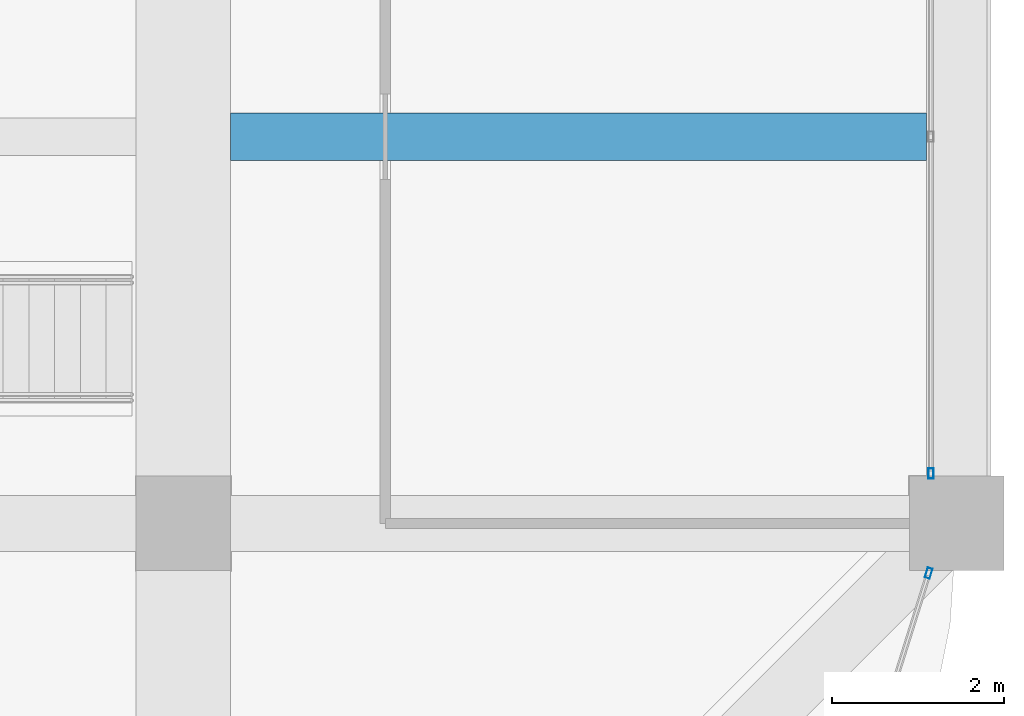
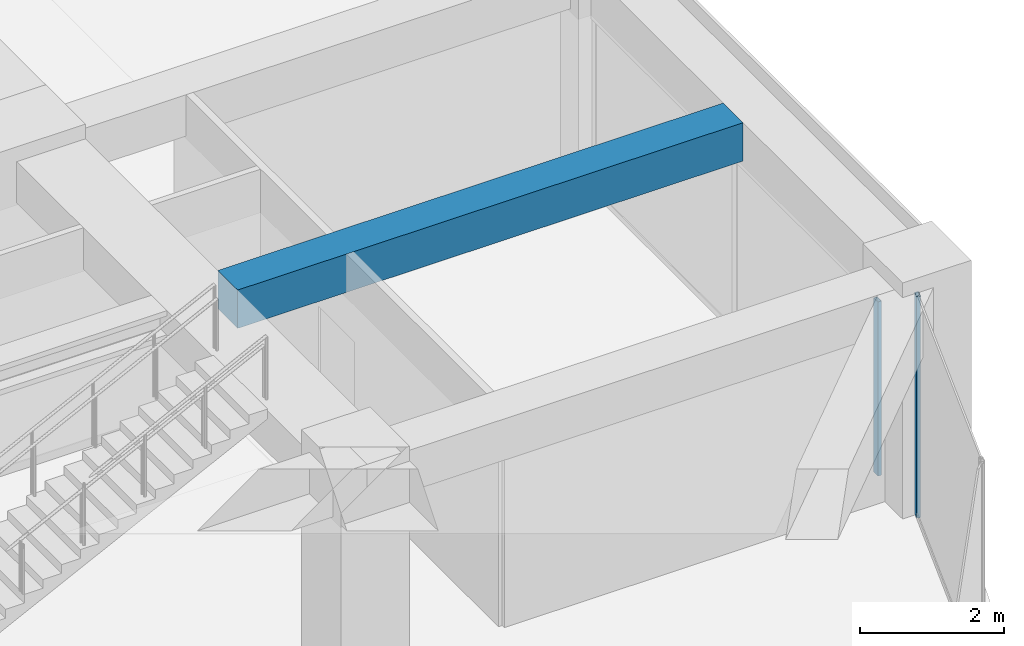
# One storey, part 22 of 44: 2 members, 1 beam, 2 elements without a shape of their own.
"""IFC4 building model written with IfcOpenShell, lengths in metres."""

from ifc_helpers import new_model, si_unit, direction, frame, origin, origin_2d, place, context, subcontext, project, spatial, rectangle, hollow_rectangle, extrude, material, material_profile, profile_set, type_object, element, aggregate, save


model = new_model("IFC4")

# Units and contexts
model_context = context("Model", 3, precision=1e-05, world=origin(), true_north=direction((0.0, 1.0)))
body_context = subcontext(model_context, "Body", "Model", "MODEL_VIEW")
ifc_project = project(units=[si_unit("LENGTHUNIT", "METRE"), si_unit("AREAUNIT", "SQUARE_METRE"), si_unit("VOLUMEUNIT", "CUBIC_METRE"), si_unit("PLANEANGLEUNIT", "RADIAN"), si_unit("MASSUNIT", "GRAM", prefix="KILO")], contexts=[model_context])

# Site, building, storey
site_placement = place(None, origin())
site = spatial("IfcSite", under=ifc_project, at=site_placement, CompositionType="ELEMENT")
building_placement = place(site_placement, origin())
building = spatial("IfcBuilding", under=site, at=building_placement, Name="Zorevar Civic Tower", CompositionType="ELEMENT")
storey_placement = place(building_placement, frame((0.0, 0.0, 251.39990234375)))
storey = spatial("IfcBuildingStorey", under=building, at=storey_placement, Name="L61", CompositionType="ELEMENT", Elevation=251.39990234375)

# Beam
ifc_material_1 = material(Name="Concrete C50/60", Category="concrete")
ifc_material_profile_1 = material_profile(ifc_material_1, rectangle(XDim=0.550048828125, YDim=0.64990234375, at=origin_2d()), Name="RC 550x650")
ifc_profile_set_1 = profile_set([ifc_material_profile_1], Name="Concrete C50/60")
beam_type = type_object("IfcBeamType", Name="Beam RC 550x650", PredefinedType="BEAM", material=ifc_profile_set_1)
beam_placement = place(storey_placement, frame((45.550048828125, 13.5, 3.425048828125), z_axis=(1.0, 0.0, 0.0), x_axis=(0.0, 1.0, 0.0)))
element("IfcBeam", 1, at=beam_placement, inside=storey, type_object=beam_type, Name="Secondary beam L62", PredefinedType="BEAM", context=body_context, shape_type="SweptSolid", body=[
    extrude(rectangle(XDim=0.550048828125, YDim=0.64990234375, at=origin_2d()), origin(), (0.0, 0.0, 1.0), 8.099853515625),
])

# Curtain wall, member
ifc_material_2 = material(Name="Dark grey solar-control glass in black aluminium frame", Category="aluminium")
curtain_wall_type = type_object("IfcCurtainWallType", Name="Curtain wall CW5 top zone", PredefinedType="NOTDEFINED", material=ifc_material_2)
curtain_wall_1_placement = place(storey_placement, origin())
curtain_wall_1 = element("IfcCurtainWall", 2, at=curtain_wall_1_placement, inside=storey, type_object=curtain_wall_type, Name="CW5 L61", PredefinedType="NOTDEFINED")
ifc_material_3 = material(Name="Aluminium, black anodised", Category="aluminium")
ifc_material_profile_2 = material_profile(ifc_material_3, hollow_rectangle(XDim=0.06005859375, YDim=0.1201171875, WallThickness=0.0029296875, at=origin_2d()), Name="AL 120x60x3")
ifc_profile_set_2 = profile_set([ifc_material_profile_2], Name="Aluminium, black anodised")
member_type = type_object("IfcMemberType", Name="CW5 mullion AL 120x60x3", PredefinedType="MULLION", material=ifc_profile_set_2)
member_1_placement = place(storey_placement, frame((53.699951171875, 9.580078125, 0.0), z_axis=(0.0, 0.0, 1.0), x_axis=(-1.0, 0.0, 0.0)))
member_1 = element("IfcMember", 3, at=member_1_placement, type_object=member_type, Name="CW5 mullion 1", PredefinedType="MULLION", context=body_context, shape_type="SweptSolid", body=[
    extrude(hollow_rectangle(XDim=0.06005859375, YDim=0.1201171875, WallThickness=0.0029296875, at=origin_2d()), origin(), (0.0, 0.0, 1.0), 2.9501953125),
])
aggregate(curtain_wall_1, [member_1])

curtain_wall_2_placement = place(storey_placement, origin())
curtain_wall_2 = element("IfcCurtainWall", 4, at=curtain_wall_2_placement, inside=storey, type_object=curtain_wall_type, Name="CW5 L61", PredefinedType="NOTDEFINED")
member_2_placement = place(storey_placement, frame((53.673583984375, 8.42138671875, 0.0), z_axis=(0.0, 0.0, 1.0), x_axis=(-0.954153437674, 0.299317920238, 0.0)))
member_2 = element("IfcMember", 5, at=member_2_placement, type_object=member_type, Name="CW5 mullion 2", PredefinedType="MULLION", context=body_context, shape_type="SweptSolid", body=[
    extrude(hollow_rectangle(XDim=0.06005859375, YDim=0.1201171875, WallThickness=0.0029296875, at=origin_2d()), origin(), (0.0, 0.0, 1.0), 3.75),
])
aggregate(curtain_wall_2, [member_2])

save(model, "model.ifc")
